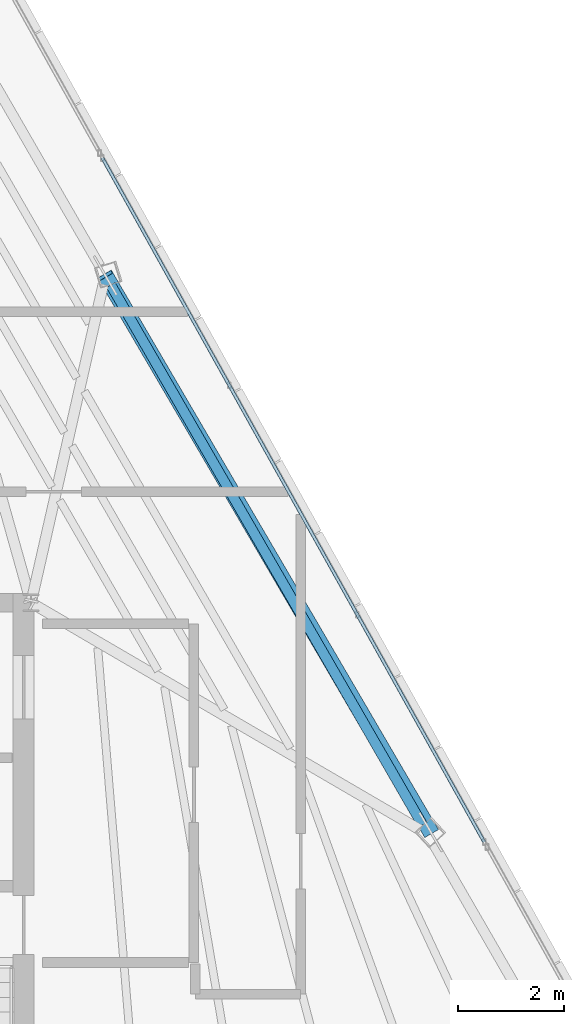
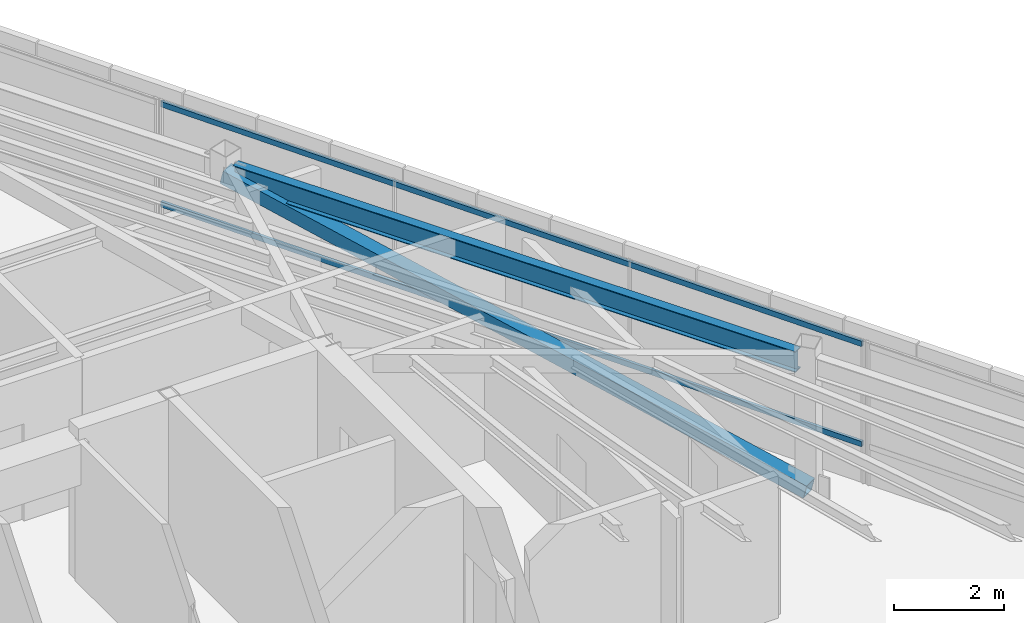
# One storey, part 29 of 44: 3 members, 1 beam, 1 element without a shape of its own.
"""IFC4 building model written with IfcOpenShell, lengths in metres."""

from ifc_helpers import new_model, si_unit, direction, frame, origin, origin_2d, place, context, subcontext, project, spatial, hollow_rectangle, i_section, extrude, source, transform, mapped, material, material_profile, profile_set, type_object, type_shapes, element, aggregate, save


model = new_model("IFC4")

# Units and contexts
model_context = context("Model", 3, precision=1e-05, world=origin(), true_north=direction((0.0, 1.0)))
body_context = subcontext(model_context, "Body", "Model", "MODEL_VIEW")
ifc_project = project(units=[si_unit("LENGTHUNIT", "METRE"), si_unit("AREAUNIT", "SQUARE_METRE"), si_unit("VOLUMEUNIT", "CUBIC_METRE"), si_unit("PLANEANGLEUNIT", "RADIAN"), si_unit("MASSUNIT", "GRAM", prefix="KILO")], contexts=[model_context])

# Site, building, storey
site_placement = place(None, origin())
site = spatial("IfcSite", under=ifc_project, at=site_placement, CompositionType="ELEMENT")
building_placement = place(site_placement, origin())
building = spatial("IfcBuilding", under=site, at=building_placement, Name="Caelisora Broadcast Tower", CompositionType="ELEMENT")
storey_placement = place(building_placement, frame((0.0, 0.0, 296.60009765625)))
storey = spatial("IfcBuildingStorey", under=building, at=storey_placement, Name="L78", CompositionType="ELEMENT", Elevation=296.60009765625)

# Beam
ifc_material_1 = material(Name="Steel Grade 350 (AS/NZS 3679.1)", Category="steel")
ifc_material_profile_1 = material_profile(ifc_material_1, i_section(OverallWidth=0.19091796875, OverallDepth=0.46044921875, WebThickness=0.010009765625, FlangeThickness=0.01611328125, at=origin_2d()), Name="Steel Grade 350 (AS/NZS 3679.1)")
ifc_profile_set_1 = profile_set([ifc_material_profile_1], Name="Steel Grade 350 (AS/NZS 3679.1)")
beam_type = type_object("IfcBeamType", Name="PG06", PredefinedType="BEAM", material=ifc_profile_set_1)
shared_shape_1 = source(origin(), body_context, "Body", "SweptSolid", [
    extrude(i_section(OverallWidth=0.19091796875, OverallDepth=0.46044921875, WebThickness=0.010009765625, FlangeThickness=0.01611328125, at=origin_2d()), origin(), (0.0, 0.0, 1.0), 11.78466796875),
])
type_shapes(beam_type, [shared_shape_1])
beam_placement = place(storey_placement, frame((52.901123046875, 25.79931640625, 2.919677734375), z_axis=(-0.500000414809, 0.866025164294, 0.0), x_axis=(-0.866025164294, -0.500000414809, 0.0)))
element("IfcBeam", 1, at=beam_placement, inside=storey, type_object=beam_type, Name="L78 beam PG06", PredefinedType="BEAM", context=body_context, shape_type="MappedRepresentation", body=[
    mapped(shared_shape_1, transform((0.0, 0.0, 0.0), scale=1.0)),
])

# Member
ifc_material_2 = material(Name="Steel Grade 450 (AS/NZS 1163 C450L0)", Category="steel")
ifc_material_profile_2 = material_profile(ifc_material_2, hollow_rectangle(XDim=0.300048828125, YDim=0.300048828125, WallThickness=0.012451171875, at=origin_2d()), Name="Steel Grade 450 (AS/NZS 1163 C450L0)")
ifc_profile_set_2 = profile_set([ifc_material_profile_2], Name="Steel Grade 450 (AS/NZS 1163 C450L0)")
member_type_1 = type_object("IfcMemberType", Name="BR06", PredefinedType="BRACE", material=ifc_profile_set_2)
shared_shape_2 = source(origin(), body_context, "Body", "SweptSolid", [
    extrude(hollow_rectangle(XDim=0.300048828125, YDim=0.300048828125, WallThickness=0.012451171875, at=origin_2d()), origin(), (0.0, 0.0, 1.0), 12.4921875),
])
type_shapes(member_type_1, [shared_shape_2])
member_1_placement = place(storey_placement, frame((53.055908203125, 25.666015625, 0.099853515625), z_axis=(-0.492398432355, 0.842070698745, 0.220137961582), x_axis=(-0.863247234391, -0.504781350999, 0.0)))
element("IfcMember", 2, at=member_1_placement, inside=storey, type_object=member_type_1, Name="L78 perimeter brace BR06", PredefinedType="BRACE", context=body_context, shape_type="MappedRepresentation", body=[
    mapped(shared_shape_2, transform((0.0, 0.0, 0.0), scale=1.0)),
])

# Curtain wall, members
ifc_material_3 = material(Name="Unitised Aluminium Insulated Shadow-Box Spandrel Curtain Wall", Category="aluminium")
curtain_wall_type = type_object("IfcCurtainWallType", Name="CW-SP3", PredefinedType="NOTDEFINED", material=ifc_material_3)
curtain_wall_placement = place(storey_placement, origin())
curtain_wall = element("IfcCurtainWall", 3, at=curtain_wall_placement, inside=storey, type_object=curtain_wall_type, Name="L78 curtain wall CW-SP3", PredefinedType="NOTDEFINED")
ifc_material_4 = material(Name="Aluminium 6063-T6 Anodised Terracotta Bronze", Category="aluminium")
ifc_material_profile_3 = material_profile(ifc_material_4, hollow_rectangle(XDim=0.06005859375, YDim=0.1201171875, WallThickness=0.0029296875, at=origin_2d()), Name="Aluminium 6063-T6 Anodised Terracotta Bronze")
ifc_profile_set_3 = profile_set([ifc_material_profile_3], Name="Aluminium 6063-T6 Anodised Terracotta Bronze")
member_type_2 = type_object("IfcMemberType", Name="CWT-03", PredefinedType="USERDEFINED", material=ifc_profile_set_3)
shared_shape_3 = source(origin(), body_context, "Body", "SweptSolid", [
    extrude(hollow_rectangle(XDim=0.06005859375, YDim=0.1201171875, WallThickness=0.0029296875, at=origin_2d()), origin(), (0.0, 0.0, 1.0), 14.81103515625),
])
type_shapes(member_type_2, [shared_shape_3])
member_2_placement = place(storey_placement, frame((46.84814453125, 38.408935546875, 0.849853515625), z_axis=(0.487387203757, -0.873185955919, 0.0), x_axis=(0.873185955919, 0.487387203757, 0.0)))
member_2 = element("IfcMember", 4, at=member_2_placement, type_object=member_type_2, Name="L78-CW-B02 transom #1", ObjectType="TRANSOM", PredefinedType="USERDEFINED", context=body_context, shape_type="MappedRepresentation", body=[
    mapped(shared_shape_3, transform((0.0, 0.0, 0.0), scale=1.0)),
])
member_3_placement = place(storey_placement, frame((46.84814453125, 38.408935546875, 3.06982421875), z_axis=(0.487387203757, -0.873185955919, 0.0), x_axis=(0.873185955919, 0.487387203757, 0.0)))
member_3 = element("IfcMember", 5, at=member_3_placement, type_object=member_type_2, Name="L78-CW-B02 transom #2", ObjectType="TRANSOM", PredefinedType="USERDEFINED", context=body_context, shape_type="MappedRepresentation", body=[
    mapped(shared_shape_3, transform((0.0, 0.0, 0.0), scale=1.0)),
])
aggregate(curtain_wall, [member_2, member_3])

save(model, "model.ifc")
